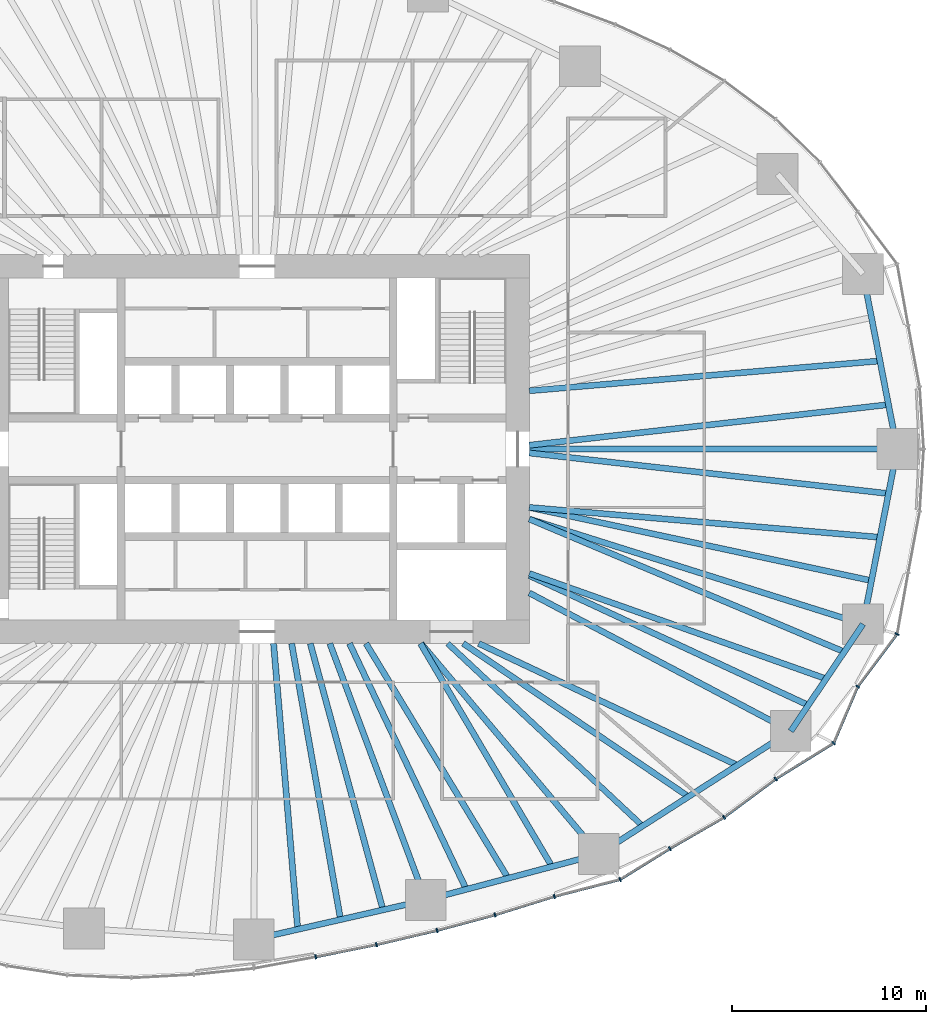
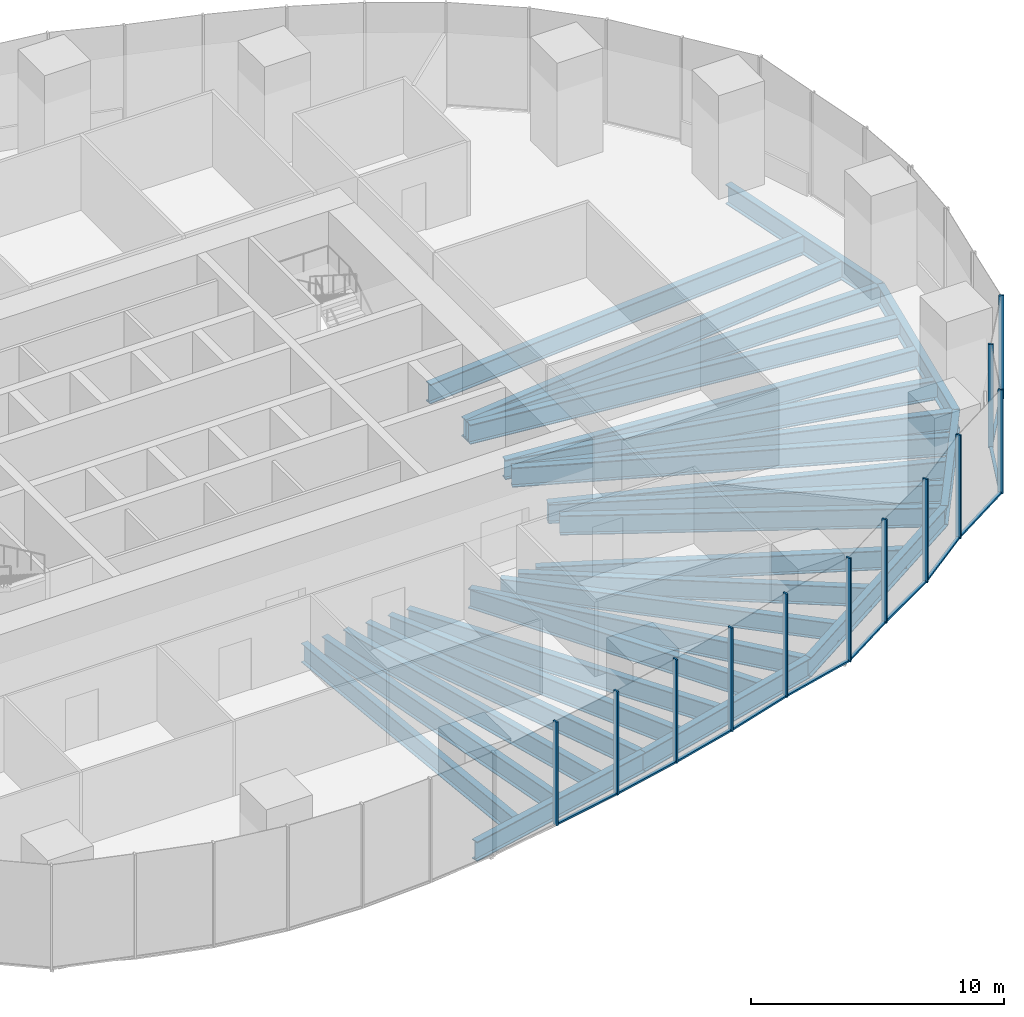
# One storey, part 4 of 20: 28 beams, 23 members, 5 elements without a shape of their own.
"""IFC4 building model written with IfcOpenShell, lengths in metres."""

from ifc_helpers import new_model, si_unit, direction, frame, origin, origin_2d, place, context, subcontext, project, spatial, rectangle, i_section, extrude, material, material_profile, profile_set, type_object, element, aggregate, save


model = new_model("IFC4")

# Units and contexts
model_context = context("Model", 3, precision=1e-05, world=origin(), true_north=direction((0.0, 1.0)))
body_context = subcontext(model_context, "Body", "Model", "MODEL_VIEW")
ifc_project = project(units=[si_unit("LENGTHUNIT", "METRE"), si_unit("AREAUNIT", "SQUARE_METRE"), si_unit("VOLUMEUNIT", "CUBIC_METRE"), si_unit("PLANEANGLEUNIT", "RADIAN"), si_unit("MASSUNIT", "GRAM", prefix="KILO")], contexts=[model_context])

# Site, building, storey
site_placement = place(None, origin())
site = spatial("IfcSite", under=ifc_project, at=site_placement, CompositionType="ELEMENT")
building_placement = place(site_placement, origin())
building = spatial("IfcBuilding", under=site, at=building_placement, Name="Ghaith Harvest Tower", CompositionType="ELEMENT")
storey_placement = place(building_placement, frame((0.0, 0.0, 40.0)))
storey = spatial("IfcBuildingStorey", under=building, at=storey_placement, Name="L08", CompositionType="ELEMENT", Elevation=40.0)

# Curtain wall, members
ifc_material_1 = material(Name="Black anodised aluminium and fritted glass", Category="aluminium")
curtain_wall_type = type_object("IfcCurtainWallType", Name="CW-F CURTAIN WALL", PredefinedType="NOTDEFINED", material=ifc_material_1)
curtain_wall_1_placement = place(storey_placement, origin())
curtain_wall_1 = element("IfcCurtainWall", 1, at=curtain_wall_1_placement, inside=storey, type_object=curtain_wall_type, Name="Curtain wall CW-F bay 16 L08", PredefinedType="NOTDEFINED")
ifc_material_2 = material(Name="Aluminium, black anodised", Category="aluminium")
ifc_material_profile_1 = material_profile(ifc_material_2, rectangle(XDim=0.080078125, YDim=0.219970703125, at=origin_2d()), Name="CW-F MULLION 80x220")
ifc_profile_set_1 = profile_set([ifc_material_profile_1], Name="Aluminium, black anodised")
member_type_1 = type_object("IfcMemberType", Name="CW-F MULLION 80x220", PredefinedType="MULLION", material=ifc_profile_set_1)
member_1_placement = place(storey_placement, frame((3.00927734375, -26.123291015625, 0.0), z_axis=(0.0, 0.0, 1.0), x_axis=(0.981818445714, 0.189822389762, 0.0)))
member_1 = element("IfcMember", 2, at=member_1_placement, type_object=member_type_1, Name="CW-F mullion 2 bay 16 L08", PredefinedType="MULLION", context=body_context, shape_type="SweptSolid", body=[
    extrude(rectangle(XDim=0.080078125, YDim=0.219970703125, at=origin_2d()), origin(), (0.0, 0.0, 1.0), 5.0),
])
member_2_placement = place(storey_placement, frame((6.136962890625, -25.495361328125, 0.0), z_axis=(0.0, 0.0, 1.0), x_axis=(0.977117973572, 0.212698062336, 0.0)))
member_2 = element("IfcMember", 3, at=member_2_placement, type_object=member_type_1, Name="CW-F mullion 3 bay 16 L08", PredefinedType="MULLION", context=body_context, shape_type="SweptSolid", body=[
    extrude(rectangle(XDim=0.080078125, YDim=0.219970703125, at=origin_2d()), origin(), (0.0, 0.0, 1.0), 5.0),
])

curtain_wall_2_placement = place(storey_placement, origin())
curtain_wall_2 = element("IfcCurtainWall", 4, at=curtain_wall_2_placement, inside=storey, type_object=curtain_wall_type, Name="Curtain wall CW-F bay 17 L08", PredefinedType="NOTDEFINED")
member_3_placement = place(storey_placement, frame((9.25732421875, -24.76318359375, 0.0), z_axis=(0.0, 0.0, 1.0), x_axis=(0.969903429248, 0.24348991341, 0.0)))
member_3 = element("IfcMember", 5, at=member_3_placement, type_object=member_type_1, Name="CW-F mullion 1 bay 17 L08", PredefinedType="MULLION", context=body_context, shape_type="SweptSolid", body=[
    extrude(rectangle(XDim=0.080078125, YDim=0.219970703125, at=origin_2d()), origin(), (0.0, 0.0, 1.0), 5.0),
])
member_4_placement = place(storey_placement, frame((12.234375, -23.964599609375, 0.0), z_axis=(0.0, 0.0, 1.0), x_axis=(0.960502189734, 0.278272426799, 0.0)))
member_4 = element("IfcMember", 6, at=member_4_placement, type_object=member_type_1, Name="CW-F mullion 2 bay 17 L08", PredefinedType="MULLION", context=body_context, shape_type="SweptSolid", body=[
    extrude(rectangle(XDim=0.080078125, YDim=0.219970703125, at=origin_2d()), origin(), (0.0, 0.0, 1.0), 5.0),
])
member_5_placement = place(storey_placement, frame((15.28759765625, -23.01611328125, 0.0), z_axis=(0.0, 0.0, 1.0), x_axis=(0.962313144018, 0.27194376781, 0.0)))
member_5 = element("IfcMember", 7, at=member_5_placement, type_object=member_type_1, Name="CW-F mullion 3 bay 17 L08", PredefinedType="MULLION", context=body_context, shape_type="SweptSolid", body=[
    extrude(rectangle(XDim=0.080078125, YDim=0.219970703125, at=origin_2d()), origin(), (0.0, 0.0, 1.0), 5.0),
])

curtain_wall_3_placement = place(storey_placement, origin())
curtain_wall_3 = element("IfcCurtainWall", 8, at=curtain_wall_3_placement, inside=storey, type_object=curtain_wall_type, Name="Curtain wall CW-F bay 18 L08", PredefinedType="NOTDEFINED")
member_6_placement = place(storey_placement, frame((18.674072265625, -22.144775390625, 0.0), z_axis=(0.0, 0.0, 1.0), x_axis=(0.923910199299, 0.382609387799, 0.0)))
member_6 = element("IfcMember", 9, at=member_6_placement, type_object=member_type_1, Name="CW-F mullion 1 bay 18 L08", PredefinedType="MULLION", context=body_context, shape_type="SweptSolid", body=[
    extrude(rectangle(XDim=0.080078125, YDim=0.219970703125, at=origin_2d()), origin(), (0.0, 0.0, 1.0), 5.0),
])
member_7_placement = place(storey_placement, frame((21.2353515625, -20.552978515625, 0.0), z_axis=(0.0, 0.0, 1.0), x_axis=(0.858140414942, 0.513415064293, 0.0)))
member_7 = element("IfcMember", 10, at=member_7_placement, type_object=member_type_1, Name="CW-F mullion 2 bay 18 L08", PredefinedType="MULLION", context=body_context, shape_type="SweptSolid", body=[
    extrude(rectangle(XDim=0.080078125, YDim=0.219970703125, at=origin_2d()), origin(), (0.0, 0.0, 1.0), 5.0),
])
member_8_placement = place(storey_placement, frame((24.018310546875, -18.947265625, 0.0), z_axis=(0.0, 0.0, 1.0), x_axis=(0.835443516838, 0.549576318788, 0.0)))
member_8 = element("IfcMember", 11, at=member_8_placement, type_object=member_type_1, Name="CW-F mullion 3 bay 18 L08", PredefinedType="MULLION", context=body_context, shape_type="SweptSolid", body=[
    extrude(rectangle(XDim=0.080078125, YDim=0.219970703125, at=origin_2d()), origin(), (0.0, 0.0, 1.0), 5.0),
])

curtain_wall_4_placement = place(storey_placement, origin())
curtain_wall_4 = element("IfcCurtainWall", 12, at=curtain_wall_4_placement, inside=storey, type_object=curtain_wall_type, Name="Curtain wall CW-F bay 19 L08", PredefinedType="NOTDEFINED")
member_9_placement = place(storey_placement, frame((26.673828125, -16.9755859375, 0.0), z_axis=(0.0, 0.0, 1.0), x_axis=(0.828002038115, 0.560725088504, 0.0)))
member_9 = element("IfcMember", 13, at=member_9_placement, type_object=member_type_1, Name="CW-F mullion 1 bay 19 L08", PredefinedType="MULLION", context=body_context, shape_type="SweptSolid", body=[
    extrude(rectangle(XDim=0.080078125, YDim=0.219970703125, at=origin_2d()), origin(), (0.0, 0.0, 1.0), 5.0),
])
member_10_placement = place(storey_placement, frame((29.659912109375, -15.126953125, 0.0), z_axis=(0.0, 0.0, 1.0), x_axis=(0.663604797505, 0.748083332743, 0.0)))
member_10 = element("IfcMember", 14, at=member_10_placement, type_object=member_type_1, Name="CW-F mullion 2 bay 19 L08", PredefinedType="MULLION", context=body_context, shape_type="SweptSolid", body=[
    extrude(rectangle(XDim=0.080078125, YDim=0.219970703125, at=origin_2d()), origin(), (0.0, 0.0, 1.0), 5.0),
])
member_11_placement = place(storey_placement, frame((30.896728515625, -12.215087890625, 0.0), z_axis=(0.0, 0.0, 1.0), x_axis=(0.5027946428, 0.864405892606, 0.0)))
member_11 = element("IfcMember", 15, at=member_11_placement, type_object=member_type_1, Name="CW-F mullion 3 bay 19 L08", PredefinedType="MULLION", context=body_context, shape_type="SweptSolid", body=[
    extrude(rectangle(XDim=0.080078125, YDim=0.219970703125, at=origin_2d()), origin(), (0.0, 0.0, 1.0), 5.0),
])

# Curtain wall, member
curtain_wall_5_placement = place(storey_placement, origin())
curtain_wall_5 = element("IfcCurtainWall", 16, at=curtain_wall_5_placement, inside=storey, type_object=curtain_wall_type, Name="Curtain wall CW-F bay 20 L08", PredefinedType="NOTDEFINED")
member_12_placement = place(storey_placement, frame((32.923583984375, -9.515625, 0.0), z_axis=(0.0, 0.0, 1.0), x_axis=(0.404701694001, 0.914448762301, 0.0)))
member_12 = element("IfcMember", 17, at=member_12_placement, type_object=member_type_1, Name="CW-F mullion 1 bay 20 L08", PredefinedType="MULLION", context=body_context, shape_type="SweptSolid", body=[
    extrude(rectangle(XDim=0.080078125, YDim=0.219970703125, at=origin_2d()), origin(), (0.0, 0.0, 1.0), 5.0),
])
aggregate(curtain_wall_5, [member_12])

# Member
ifc_material_3 = material(Name="Aluminium, black anodised", Category="aluminium")
ifc_material_profile_2 = material_profile(ifc_material_3, rectangle(XDim=0.139892578125, YDim=0.080078125, at=origin_2d()), Name="CW-F TRANSOM 140x80")
ifc_profile_set_2 = profile_set([ifc_material_profile_2], Name="Aluminium, black anodised")
member_type_2 = type_object("IfcMemberType", Name="CW-F TRANSOM 140x80", PredefinedType="USERDEFINED", material=ifc_profile_set_2)
member_13_placement = place(storey_placement, frame((3.04833984375, -26.115478515625, 0.0400390625), z_axis=(0.980432471193, 0.196855707129, 0.0), x_axis=(-0.196855707129, 0.980432471193, 0.0)))
member_13 = element("IfcMember", 18, at=member_13_placement, type_object=member_type_2, Name="CW-F transom 2 bay 16 L08", ObjectType="TRANSOM", PredefinedType="USERDEFINED", context=body_context, shape_type="SweptSolid", body=[
    extrude(rectangle(XDim=0.139892578125, YDim=0.080078125, at=origin_2d()), origin(), (0.0, 0.0, 1.0), 3.1103515625),
])

member_14_placement = place(storey_placement, frame((6.176025390625, -25.486083984375, 0.0400390625), z_axis=(0.973560415159, 0.228429678537, 0.0), x_axis=(-0.228429678537, 0.973560415159, 0.0)))
member_14 = element("IfcMember", 19, at=member_14_placement, type_object=member_type_2, Name="CW-F transom 3 bay 16 L08", ObjectType="TRANSOM", PredefinedType="USERDEFINED", context=body_context, shape_type="SweptSolid", body=[
    extrude(rectangle(XDim=0.139892578125, YDim=0.080078125, at=origin_2d()), origin(), (0.0, 0.0, 1.0), 3.125),
])

aggregate(curtain_wall_1, [member_1, member_13, member_2, member_14])

member_15_placement = place(storey_placement, frame((9.2958984375, -24.7529296875, 0.0400390625), z_axis=(0.965832908495, 0.259165570377, 0.0), x_axis=(-0.259165570377, 0.965832908495, 0.0)))
member_15 = element("IfcMember", 20, at=member_15_placement, type_object=member_type_2, Name="CW-F transom 1 bay 17 L08", ObjectType="TRANSOM", PredefinedType="USERDEFINED", context=body_context, shape_type="SweptSolid", body=[
    extrude(rectangle(XDim=0.139892578125, YDim=0.080078125, at=origin_2d()), origin(), (0.0, 0.0, 1.0), 3.002197265625),
])

member_16_placement = place(storey_placement, frame((12.2724609375, -23.95263671875, 0.0400390625), z_axis=(0.954998362353, 0.296611071781, 0.0), x_axis=(-0.296611071781, 0.954998362353, 0.0)))
member_16 = element("IfcMember", 21, at=member_16_placement, type_object=member_type_2, Name="CW-F transom 2 bay 17 L08", ObjectType="TRANSOM", PredefinedType="USERDEFINED", context=body_context, shape_type="SweptSolid", body=[
    extrude(rectangle(XDim=0.139892578125, YDim=0.080078125, at=origin_2d()), origin(), (0.0, 0.0, 1.0), 3.1171875),
])

member_17_placement = place(storey_placement, frame((15.326171875, -23.006103515625, 0.0400390625), z_axis=(0.968463874592, 0.249154015841, 0.0), x_axis=(-0.249154015841, 0.968463874592, 0.0)))
member_17 = element("IfcMember", 22, at=member_17_placement, type_object=member_type_2, Name="CW-F transom 3 bay 17 L08", ObjectType="TRANSOM", PredefinedType="USERDEFINED", context=body_context, shape_type="SweptSolid", body=[
    extrude(rectangle(XDim=0.139892578125, YDim=0.080078125, at=origin_2d()), origin(), (0.0, 0.0, 1.0), 3.416748046875),
])

aggregate(curtain_wall_2, [member_3, member_15, member_4, member_16, member_5, member_17])

member_18_placement = place(storey_placement, frame((18.7080078125, -22.12353515625, 0.0400390625), z_axis=(0.849383069026, 0.527776848726, 0.0), x_axis=(-0.527776848726, 0.849383069026, 0.0)))
member_18 = element("IfcMember", 23, at=member_18_placement, type_object=member_type_2, Name="CW-F transom 1 bay 18 L08", ObjectType="TRANSOM", PredefinedType="USERDEFINED", context=body_context, shape_type="SweptSolid", body=[
    extrude(rectangle(XDim=0.139892578125, YDim=0.080078125, at=origin_2d()), origin(), (0.0, 0.0, 1.0), 2.935546875),
])

member_19_placement = place(storey_placement, frame((21.27001953125, -20.532958984375, 0.0400390625), z_axis=(0.866168719914, 0.499751686983, 0.0), x_axis=(-0.499751686983, 0.866168719914, 0.0)))
member_19 = element("IfcMember", 24, at=member_19_placement, type_object=member_type_2, Name="CW-F transom 2 bay 18 L08", ObjectType="TRANSOM", PredefinedType="USERDEFINED", context=body_context, shape_type="SweptSolid", body=[
    extrude(rectangle(XDim=0.139892578125, YDim=0.080078125, at=origin_2d()), origin(), (0.0, 0.0, 1.0), 3.1328125),
])

member_20_placement = place(storey_placement, frame((24.050537109375, -18.92333984375, 0.0400390625), z_axis=(0.802877287823, 0.596144328748, 0.0), x_axis=(-0.596144328748, 0.802877287823, 0.0)))
member_20 = element("IfcMember", 25, at=member_20_placement, type_object=member_type_2, Name="CW-F transom 3 bay 18 L08", ObjectType="TRANSOM", PredefinedType="USERDEFINED", context=body_context, shape_type="SweptSolid", body=[
    extrude(rectangle(XDim=0.139892578125, YDim=0.080078125, at=origin_2d()), origin(), (0.0, 0.0, 1.0), 3.2275390625),
])

aggregate(curtain_wall_3, [member_6, member_18, member_7, member_19, member_8, member_20])

member_21_placement = place(storey_placement, frame((26.707763671875, -16.954345703125, 0.0400390625), z_axis=(0.850260598386, 0.526361961802, 0.0), x_axis=(-0.526361961802, 0.850260598386, 0.0)))
member_21 = element("IfcMember", 26, at=member_21_placement, type_object=member_type_2, Name="CW-F transom 1 bay 19 L08", ObjectType="TRANSOM", PredefinedType="USERDEFINED", context=body_context, shape_type="SweptSolid", body=[
    extrude(rectangle(XDim=0.139892578125, YDim=0.080078125, at=origin_2d()), origin(), (0.0, 0.0, 1.0), 3.431884765625),
])

member_22_placement = place(storey_placement, frame((29.675537109375, -15.090087890625, 0.0400390625), z_axis=(0.390936107494, 0.92041781809, 0.0), x_axis=(-0.92041781809, 0.390936107494, 0.0)))
member_22 = element("IfcMember", 27, at=member_22_placement, type_object=member_type_2, Name="CW-F transom 2 bay 19 L08", ObjectType="TRANSOM", PredefinedType="USERDEFINED", context=body_context, shape_type="SweptSolid", body=[
    extrude(rectangle(XDim=0.139892578125, YDim=0.080078125, at=origin_2d()), origin(), (0.0, 0.0, 1.0), 3.083740234375),
])

member_23_placement = place(storey_placement, frame((30.920654296875, -12.18310546875, 0.0400390625), z_axis=(0.600462135687, 0.799653189581, 0.0), x_axis=(-0.799653189581, 0.600462135687, 0.0)))
member_23 = element("IfcMember", 28, at=member_23_placement, type_object=member_type_2, Name="CW-F transom 3 bay 19 L08", ObjectType="TRANSOM", PredefinedType="USERDEFINED", context=body_context, shape_type="SweptSolid", body=[
    extrude(rectangle(XDim=0.139892578125, YDim=0.080078125, at=origin_2d()), origin(), (0.0, 0.0, 1.0), 3.2958984375),
])

aggregate(curtain_wall_4, [member_9, member_21, member_10, member_22, member_11, member_23])

# Beams
ifc_material_4 = material(Name="Steel ASTM A992 Grade 50", Category="steel")
ifc_material_profile_3 = material_profile(ifc_material_4, i_section(OverallWidth=0.306884765625, OverallDepth=0.94189453125, WebThickness=0.022216796875, FlangeThickness=0.039794921875, at=origin_2d()), Name="W920X345")
ifc_profile_set_3 = profile_set([ifc_material_profile_3], Name="Steel ASTM A992 Grade 50")
beam_type_1 = type_object("IfcBeamType", Name="E920-345 W920X345", PredefinedType="SPANDREL", material=ifc_profile_set_3)
beam_1_placement = place(storey_placement, frame((32.925048828125, 0.0, -0.6708984375), z_axis=(-0.191653479461, 0.981462655332, 0.0), x_axis=(-0.981462655332, -0.191653479461, 0.0)))
element("IfcBeam", 29, at=beam_1_placement, inside=storey, type_object=beam_type_1, Name="Edge beam E01 L08", PredefinedType="SPANDREL", context=body_context, shape_type="SweptSolid", body=[
    extrude(i_section(OverallWidth=0.306884765625, OverallDepth=0.94189453125, WebThickness=0.022216796875, FlangeThickness=0.039794921875, at=origin_2d()), origin(), (0.0, 0.0, 1.0), 9.17822265625),
])
beam_2_placement = place(storey_placement, frame((-0.173095703125, -25.22412109375, -0.6708984375), z_axis=(0.974881709383, 0.22272326486, 0.0), x_axis=(-0.22272326486, 0.974881709383, 0.0)))
element("IfcBeam", 30, at=beam_2_placement, inside=storey, type_object=beam_type_1, Name="Edge beam E16 L08", PredefinedType="SPANDREL", context=body_context, shape_type="SweptSolid", body=[
    extrude(i_section(OverallWidth=0.306884765625, OverallDepth=0.94189453125, WebThickness=0.022216796875, FlangeThickness=0.039794921875, at=origin_2d()), origin(), (0.0, 0.0, 1.0), 9.0751953125),
])
beam_3_placement = place(storey_placement, frame((8.674072265625, -23.202880859375, -0.6708984375), z_axis=(0.966419097109, 0.256971065963, 0.0), x_axis=(-0.256971065963, 0.966419097109, 0.0)))
element("IfcBeam", 31, at=beam_3_placement, inside=storey, type_object=beam_type_1, Name="Edge beam E17 L08", PredefinedType="SPANDREL", context=body_context, shape_type="SweptSolid", body=[
    extrude(i_section(OverallWidth=0.306884765625, OverallDepth=0.94189453125, WebThickness=0.022216796875, FlangeThickness=0.039794921875, at=origin_2d()), origin(), (0.0, 0.0, 1.0), 9.20703125),
])
beam_4_placement = place(storey_placement, frame((17.572021484375, -20.8369140625, -0.6708984375), z_axis=(0.842014649705, 0.539454659524, 0.0), x_axis=(-0.539454659524, 0.842014649705, 0.0)))
element("IfcBeam", 32, at=beam_4_placement, inside=storey, type_object=beam_type_1, Name="Edge beam E18 L08", PredefinedType="SPANDREL", context=body_context, shape_type="SweptSolid", body=[
    extrude(i_section(OverallWidth=0.306884765625, OverallDepth=0.94189453125, WebThickness=0.022216796875, FlangeThickness=0.039794921875, at=origin_2d()), origin(), (0.0, 0.0, 1.0), 11.730224609375),
])
beam_5_placement = place(storey_placement, frame((27.448974609375, -14.509033203125, -0.6708984375), z_axis=(0.559874470017, 0.828577442261, 0.0), x_axis=(-0.828577442261, 0.559874470017, 0.0)))
element("IfcBeam", 33, at=beam_5_placement, inside=storey, type_object=beam_type_1, Name="Edge beam E19 L08", PredefinedType="SPANDREL", context=body_context, shape_type="SweptSolid", body=[
    extrude(i_section(OverallWidth=0.306884765625, OverallDepth=0.94189453125, WebThickness=0.022216796875, FlangeThickness=0.039794921875, at=origin_2d()), origin(), (0.0, 0.0, 1.0), 6.63916015625),
])
beam_6_placement = place(storey_placement, frame((31.166015625, -9.008056640625, -0.6708984375), z_axis=(0.191653479461, 0.981462655332, 0.0), x_axis=(-0.981462655332, 0.191653479461, 0.0)))
element("IfcBeam", 34, at=beam_6_placement, inside=storey, type_object=beam_type_1, Name="Edge beam E20 L08", PredefinedType="SPANDREL", context=body_context, shape_type="SweptSolid", body=[
    extrude(i_section(OverallWidth=0.306884765625, OverallDepth=0.94189453125, WebThickness=0.022216796875, FlangeThickness=0.039794921875, at=origin_2d()), origin(), (0.0, 0.0, 1.0), 9.17822265625),
])
ifc_material_5 = material(Name="Steel ASTM A992 Grade 50", Category="steel")
ifc_material_profile_4 = material_profile(ifc_material_5, i_section(OverallWidth=0.306884765625, OverallDepth=0.94189453125, WebThickness=0.022216796875, FlangeThickness=0.039794921875, at=origin_2d()), Name="W920X345")
ifc_profile_set_4 = profile_set([ifc_material_profile_4], Name="Steel ASTM A992 Grade 50")
beam_type_2 = type_object("IfcBeamType", Name="G920-345 W920X345", PredefinedType="BEAM", material=ifc_profile_set_4)
beam_7_placement = place(storey_placement, frame((14.0, 0.0, -0.6708984375), z_axis=(1.0, 0.0, 0.0), x_axis=(0.0, 1.0, 0.0)))
element("IfcBeam", 35, at=beam_7_placement, inside=storey, type_object=beam_type_2, Name="Radial girder G01 L08", PredefinedType="BEAM", context=body_context, shape_type="SweptSolid", body=[
    extrude(i_section(OverallWidth=0.306884765625, OverallDepth=0.94189453125, WebThickness=0.022216796875, FlangeThickness=0.039794921875, at=origin_2d()), origin(), (0.0, 0.0, 1.0), 18.925048828125),
])
beam_8_placement = place(storey_placement, frame((3.73828125, -10.0, -0.6708984375), z_axis=(0.350172283717, -0.936685310932, 0.0), x_axis=(0.936685310932, 0.350172283717, 0.0)))
element("IfcBeam", 36, at=beam_8_placement, inside=storey, type_object=beam_type_2, Name="Radial girder G17 L08", PredefinedType="BEAM", context=body_context, shape_type="SweptSolid", body=[
    extrude(i_section(OverallWidth=0.306884765625, OverallDepth=0.94189453125, WebThickness=0.022216796875, FlangeThickness=0.039794921875, at=origin_2d()), origin(), (0.0, 0.0, 1.0), 14.09521484375),
])
beam_9_placement = place(storey_placement, frame((8.4326171875, -10.0, -0.6708984375), z_axis=(0.644696130938, -0.764438943771, 0.0), x_axis=(0.764438943771, 0.644696130938, 0.0)))
element("IfcBeam", 37, at=beam_9_placement, inside=storey, type_object=beam_type_2, Name="Radial girder G18 L08", PredefinedType="BEAM", context=body_context, shape_type="SweptSolid", body=[
    extrude(i_section(OverallWidth=0.306884765625, OverallDepth=0.94189453125, WebThickness=0.022216796875, FlangeThickness=0.039794921875, at=origin_2d()), origin(), (0.0, 0.0, 1.0), 14.17626953125),
])
beam_10_placement = place(storey_placement, frame((14.0, -7.39990234375, -0.6708984375), z_axis=(0.884084425997, -0.467327216959, 0.0), x_axis=(0.467327216959, 0.884084425997, 0.0)))
element("IfcBeam", 38, at=beam_10_placement, inside=storey, type_object=beam_type_2, Name="Radial girder G19 L08", PredefinedType="BEAM", context=body_context, shape_type="SweptSolid", body=[
    extrude(i_section(OverallWidth=0.306884765625, OverallDepth=0.94189453125, WebThickness=0.022216796875, FlangeThickness=0.039794921875, at=origin_2d()), origin(), (0.0, 0.0, 1.0), 15.21240234375),
])
beam_11_placement = place(storey_placement, frame((14.0, -3.60009765625, -0.6708984375), z_axis=(0.953788071692, -0.300480139607, 0.0), x_axis=(0.300480139607, 0.953788071692, 0.0)))
element("IfcBeam", 39, at=beam_11_placement, inside=storey, type_object=beam_type_2, Name="Radial girder G20 L08", PredefinedType="BEAM", context=body_context, shape_type="SweptSolid", body=[
    extrude(i_section(OverallWidth=0.306884765625, OverallDepth=0.94189453125, WebThickness=0.022216796875, FlangeThickness=0.039794921875, at=origin_2d()), origin(), (0.0, 0.0, 1.0), 17.997802734375),
])
ifc_material_6 = material(Name="Steel ASTM A992 Grade 50", Category="steel")
ifc_material_profile_5 = material_profile(ifc_material_6, i_section(OverallWidth=0.2939453125, OverallDepth=0.85107421875, WebThickness=0.01611328125, FlangeThickness=0.02685546875, at=origin_2d()), Name="W840X226")
ifc_profile_set_5 = profile_set([ifc_material_profile_5], Name="Steel ASTM A992 Grade 50")
beam_type_3 = type_object("IfcBeamType", Name="J840-226 W840X226", PredefinedType="JOIST", material=ifc_profile_set_5)
beam_12_placement = place(storey_placement, frame((9.800048828125, -10.0, -0.62548828125), z_axis=(0.72994990542, -0.683500647825, 0.0), x_axis=(0.683500647825, 0.72994990542, 0.0)))
element("IfcBeam", 40, at=beam_12_placement, inside=storey, type_object=beam_type_3, Name="Joist J18.1 L08", PredefinedType="JOIST", context=body_context, shape_type="SweptSolid", body=[
    extrude(i_section(OverallWidth=0.2939453125, OverallDepth=0.85107421875, WebThickness=0.01611328125, FlangeThickness=0.02685546875, at=origin_2d()), origin(), (0.0, 0.0, 1.0), 13.7392578125),
])
ifc_material_7 = material(Name="Steel ASTM A992 Grade 50", Category="steel")
ifc_material_profile_6 = material_profile(ifc_material_7, i_section(OverallWidth=0.31005859375, OverallDepth=0.927001953125, WebThickness=0.019287109375, FlangeThickness=0.031982421875, at=origin_2d()), Name="W920X289")
ifc_profile_set_6 = profile_set([ifc_material_profile_6], Name="Steel ASTM A992 Grade 50")
beam_type_4 = type_object("IfcBeamType", Name="J920-289 W920X289", PredefinedType="JOIST", material=ifc_profile_set_6)
beam_13_placement = place(storey_placement, frame((0.844970703125, -10.0, -0.66357421875), z_axis=(0.084208979751, -0.996448115924, 0.0), x_axis=(0.996448115924, 0.084208979751, 0.0)))
element("IfcBeam", 41, at=beam_13_placement, inside=storey, type_object=beam_type_4, Name="Joist J16.1 L08", PredefinedType="JOIST", context=body_context, shape_type="SweptSolid", body=[
    extrude(i_section(OverallWidth=0.31005859375, OverallDepth=0.927001953125, WebThickness=0.019287109375, FlangeThickness=0.031982421875, at=origin_2d()), origin(), (0.0, 0.0, 1.0), 14.760009765625),
])
beam_14_placement = place(storey_placement, frame((1.772705078125, -10.0, -0.66357421875), z_axis=(0.174552818486, -0.98464781194, 0.0), x_axis=(0.98464781194, 0.174552818486, 0.0)))
element("IfcBeam", 42, at=beam_14_placement, inside=storey, type_object=beam_type_4, Name="Joist J16.2 L08", PredefinedType="JOIST", context=body_context, shape_type="SweptSolid", body=[
    extrude(i_section(OverallWidth=0.31005859375, OverallDepth=0.927001953125, WebThickness=0.019287109375, FlangeThickness=0.031982421875, at=origin_2d()), origin(), (0.0, 0.0, 1.0), 14.42578125),
])
beam_15_placement = place(storey_placement, frame((2.73095703125, -10.0, -0.66357421875), z_axis=(0.263463446032, -0.964669379946, 0.0), x_axis=(0.964669379946, 0.263463446032, 0.0)))
element("IfcBeam", 43, at=beam_15_placement, inside=storey, type_object=beam_type_4, Name="Joist J16.3 L08", PredefinedType="JOIST", context=body_context, shape_type="SweptSolid", body=[
    extrude(i_section(OverallWidth=0.31005859375, OverallDepth=0.927001953125, WebThickness=0.019287109375, FlangeThickness=0.031982421875, at=origin_2d()), origin(), (0.0, 0.0, 1.0), 14.20751953125),
])
beam_16_placement = place(storey_placement, frame((4.75, -10.0, -0.66357421875), z_axis=(0.429067127754, -0.903272605519, 0.0), x_axis=(0.903272605519, 0.429067127754, 0.0)))
element("IfcBeam", 44, at=beam_16_placement, inside=storey, type_object=beam_type_4, Name="Joist J17.1 L08", PredefinedType="JOIST", context=body_context, shape_type="SweptSolid", body=[
    extrude(i_section(OverallWidth=0.31005859375, OverallDepth=0.927001953125, WebThickness=0.019287109375, FlangeThickness=0.031982421875, at=origin_2d()), origin(), (0.0, 0.0, 1.0), 14.003173828125),
])
beam_17_placement = place(storey_placement, frame((5.60009765625, -10.0, -0.66357421875), z_axis=(0.517828660199, -0.855484353262, 0.0), x_axis=(0.855484353262, 0.517828660199, 0.0)))
element("IfcBeam", 45, at=beam_17_placement, inside=storey, type_object=beam_type_4, Name="Joist J17.2 L08", PredefinedType="JOIST", context=body_context, shape_type="SweptSolid", body=[
    extrude(i_section(OverallWidth=0.31005859375, OverallDepth=0.927001953125, WebThickness=0.019287109375, FlangeThickness=0.031982421875, at=origin_2d()), origin(), (0.0, 0.0, 1.0), 14.11669921875),
])
beam_18_placement = place(storey_placement, frame((8.39990234375, -10.0, -0.66357421875), z_axis=(0.507894375661, -0.861419353841, 0.0), x_axis=(0.861419353841, 0.507894375661, 0.0)))
element("IfcBeam", 46, at=beam_18_placement, inside=storey, type_object=beam_type_4, Name="Joist J17.3 L08", PredefinedType="JOIST", context=body_context, shape_type="SweptSolid", body=[
    extrude(i_section(OverallWidth=0.31005859375, OverallDepth=0.927001953125, WebThickness=0.019287109375, FlangeThickness=0.031982421875, at=origin_2d()), origin(), (0.0, 0.0, 1.0), 13.32275390625),
])
beam_19_placement = place(storey_placement, frame((10.60009765625, -10.0, -0.66357421875), z_axis=(0.826982555637, -0.562227580853, 0.0), x_axis=(0.562227580853, 0.826982555637, 0.0)))
element("IfcBeam", 47, at=beam_19_placement, inside=storey, type_object=beam_type_4, Name="Joist J18.2 L08", PredefinedType="JOIST", context=body_context, shape_type="SweptSolid", body=[
    extrude(i_section(OverallWidth=0.31005859375, OverallDepth=0.927001953125, WebThickness=0.019287109375, FlangeThickness=0.031982421875, at=origin_2d()), origin(), (0.0, 0.0, 1.0), 14.013671875),
])
beam_20_placement = place(storey_placement, frame((11.39990234375, -10.0, -0.66357421875), z_axis=(0.904709580205, -0.426028843489, 0.0), x_axis=(0.426028843489, 0.904709580205, 0.0)))
element("IfcBeam", 48, at=beam_20_placement, inside=storey, type_object=beam_type_4, Name="Joist J18.3 L08", PredefinedType="JOIST", context=body_context, shape_type="SweptSolid", body=[
    extrude(i_section(OverallWidth=0.31005859375, OverallDepth=0.927001953125, WebThickness=0.019287109375, FlangeThickness=0.031982421875, at=origin_2d()), origin(), (0.0, 0.0, 1.0), 14.708251953125),
])
beam_21_placement = place(storey_placement, frame((14.0, -6.506103515625, -0.66357421875), z_axis=(0.906865804441, -0.421419521067, 0.0), x_axis=(0.421419521067, 0.906865804441, 0.0)))
element("IfcBeam", 49, at=beam_21_placement, inside=storey, type_object=beam_type_4, Name="Joist J19.1 L08", PredefinedType="JOIST", context=body_context, shape_type="SweptSolid", body=[
    extrude(i_section(OverallWidth=0.31005859375, OverallDepth=0.927001953125, WebThickness=0.019287109375, FlangeThickness=0.031982421875, at=origin_2d()), origin(), (0.0, 0.0, 1.0), 15.824462890625),
])
ifc_material_8 = material(Name="Steel ASTM A992 Grade 50", Category="steel")
ifc_material_profile_7 = material_profile(ifc_material_8, i_section(OverallWidth=0.306884765625, OverallDepth=0.94189453125, WebThickness=0.022216796875, FlangeThickness=0.039794921875, at=origin_2d()), Name="W920X345")
ifc_profile_set_7 = profile_set([ifc_material_profile_7], Name="Steel ASTM A992 Grade 50")
beam_type_5 = type_object("IfcBeamType", Name="J920-345 W920X345", PredefinedType="JOIST", material=ifc_profile_set_7)
beam_22_placement = place(storey_placement, frame((14.0, 0.199951171875, -0.6708984375), z_axis=(0.993675458798, 0.112290171352, 0.0), x_axis=(-0.112290171352, 0.993675458798, 0.0)))
element("IfcBeam", 50, at=beam_22_placement, inside=storey, type_object=beam_type_5, Name="Joist J01.1 L08", PredefinedType="JOIST", context=body_context, shape_type="SweptSolid", body=[
    extrude(i_section(OverallWidth=0.306884765625, OverallDepth=0.94189453125, WebThickness=0.022216796875, FlangeThickness=0.039794921875, at=origin_2d()), origin(), (0.0, 0.0, 1.0), 18.595947265625),
])
beam_23_placement = place(storey_placement, frame((14.0, 3.0, -0.6708984375), z_axis=(0.996389274474, 0.084902377546, 0.0), x_axis=(-0.084902377546, 0.996389274474, 0.0)))
element("IfcBeam", 51, at=beam_23_placement, inside=storey, type_object=beam_type_5, Name="Joist J01.2 L08", PredefinedType="JOIST", context=body_context, shape_type="SweptSolid", body=[
    extrude(i_section(OverallWidth=0.306884765625, OverallDepth=0.94189453125, WebThickness=0.022216796875, FlangeThickness=0.039794921875, at=origin_2d()), origin(), (0.0, 0.0, 1.0), 18.1044921875),
])
beam_24_placement = place(storey_placement, frame((14.0, -6.39990234375, -0.6708984375), z_axis=(0.942399857711, -0.334488427581, 0.0), x_axis=(0.334488427581, 0.942399857711, 0.0)))
element("IfcBeam", 52, at=beam_24_placement, inside=storey, type_object=beam_type_5, Name="Joist J19.2 L08", PredefinedType="JOIST", context=body_context, shape_type="SweptSolid", body=[
    extrude(i_section(OverallWidth=0.306884765625, OverallDepth=0.94189453125, WebThickness=0.022216796875, FlangeThickness=0.039794921875, at=origin_2d()), origin(), (0.0, 0.0, 1.0), 16.199951171875),
])
beam_25_placement = place(storey_placement, frame((14.0, -3.60009765625, -0.6708984375), z_axis=(0.921432978784, -0.388537341333, 0.0), x_axis=(0.388537341333, 0.921432978784, 0.0)))
element("IfcBeam", 53, at=beam_25_placement, inside=storey, type_object=beam_type_5, Name="Joist J19.3 L08", PredefinedType="JOIST", context=body_context, shape_type="SweptSolid", body=[
    extrude(i_section(OverallWidth=0.306884765625, OverallDepth=0.94189453125, WebThickness=0.022216796875, FlangeThickness=0.039794921875, at=origin_2d()), origin(), (0.0, 0.0, 1.0), 17.585205078125),
])
beam_26_placement = place(storey_placement, frame((14.0, -3.0, -0.6708984375), z_axis=(0.977831380626, -0.209393865869, 0.0), x_axis=(0.209393865869, 0.977831380626, 0.0)))
element("IfcBeam", 54, at=beam_26_placement, inside=storey, type_object=beam_type_5, Name="Joist J20.1 L08", PredefinedType="JOIST", context=body_context, shape_type="SweptSolid", body=[
    extrude(i_section(OverallWidth=0.306884765625, OverallDepth=0.94189453125, WebThickness=0.022216796875, FlangeThickness=0.039794921875, at=origin_2d()), origin(), (0.0, 0.0, 1.0), 18.002197265625),
])
beam_27_placement = place(storey_placement, frame((14.0, -3.0, -0.6708984375), z_axis=(0.996389274474, -0.084902377546, 0.0), x_axis=(0.084902377546, 0.996389274474, 0.0)))
element("IfcBeam", 55, at=beam_27_placement, inside=storey, type_object=beam_type_5, Name="Joist J20.2 L08", PredefinedType="JOIST", context=body_context, shape_type="SweptSolid", body=[
    extrude(i_section(OverallWidth=0.306884765625, OverallDepth=0.94189453125, WebThickness=0.022216796875, FlangeThickness=0.039794921875, at=origin_2d()), origin(), (0.0, 0.0, 1.0), 18.1044921875),
])
beam_28_placement = place(storey_placement, frame((14.0, -0.199951171875, -0.6708984375), z_axis=(0.993675458798, -0.112290171352, 0.0), x_axis=(0.112290171352, 0.993675458798, 0.0)))
element("IfcBeam", 56, at=beam_28_placement, inside=storey, type_object=beam_type_5, Name="Joist J20.3 L08", PredefinedType="JOIST", context=body_context, shape_type="SweptSolid", body=[
    extrude(i_section(OverallWidth=0.306884765625, OverallDepth=0.94189453125, WebThickness=0.022216796875, FlangeThickness=0.039794921875, at=origin_2d()), origin(), (0.0, 0.0, 1.0), 18.595947265625),
])

save(model, "model.ifc")
